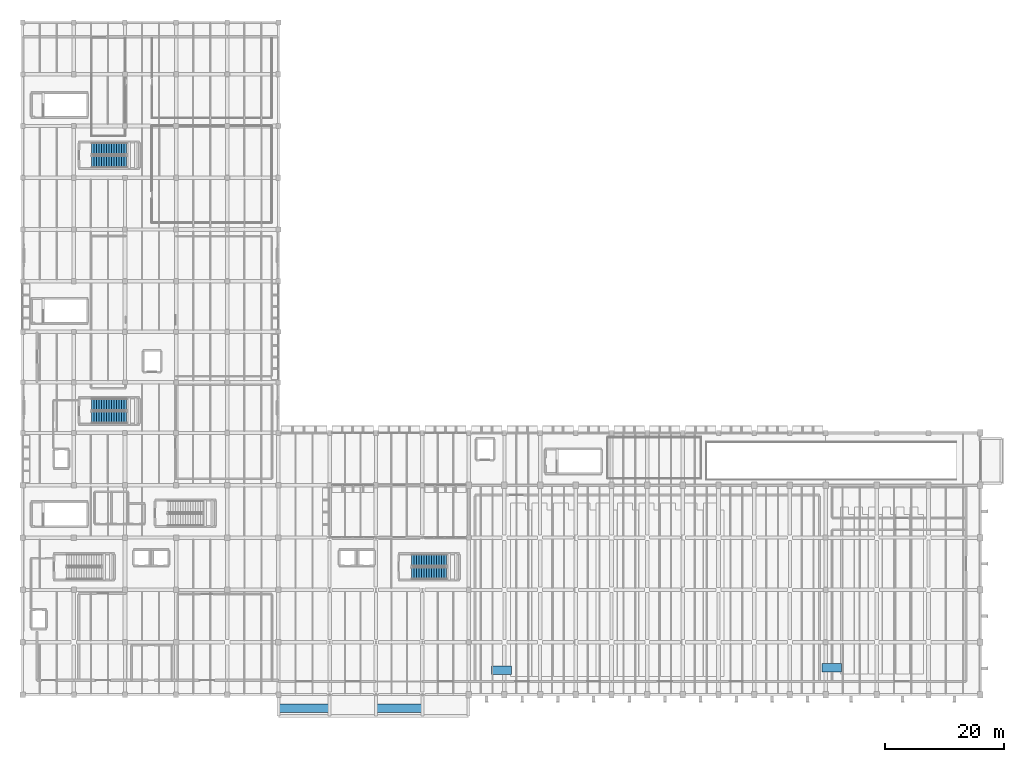
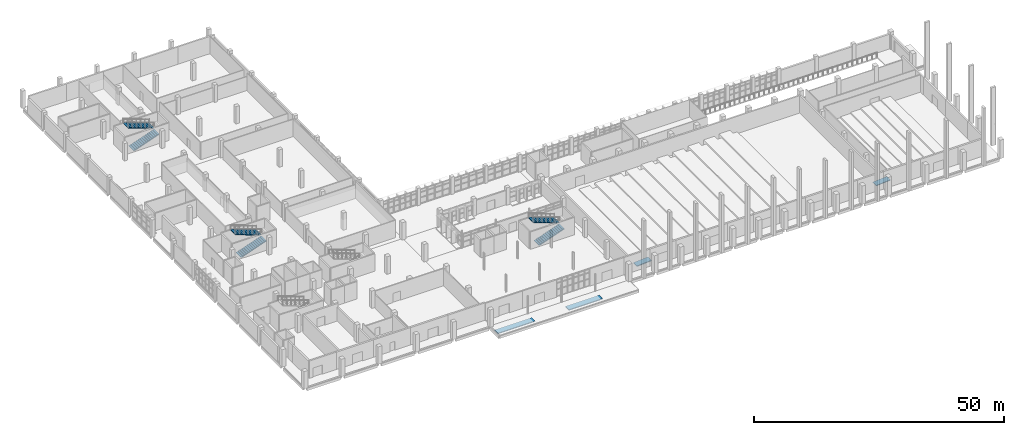
# One storey, part 63 of 76: 6 stair flights, 4 ramp flights, 7 elements without a shape of their own.
"""IFC4 building model written with IfcOpenShell, lengths in metres."""

from ifc_helpers import new_model, si_unit, direction, frame, origin, place, context, subcontext, project, spatial, polyline, outline, extrude, material, type_object, element, aggregate, save


model = new_model("IFC4")

# Units and contexts
model_context = context("Model", 3, precision=1e-05, world=origin(), true_north=direction((0.0, 1.0)))
body_context = subcontext(model_context, "Body", "Model", "MODEL_VIEW")
ifc_project = project(units=[si_unit("LENGTHUNIT", "METRE"), si_unit("AREAUNIT", "SQUARE_METRE"), si_unit("VOLUMEUNIT", "CUBIC_METRE"), si_unit("PLANEANGLEUNIT", "RADIAN"), si_unit("MASSUNIT", "GRAM", prefix="KILO")], contexts=[model_context])

# Site, building, storey
site_placement = place(None, origin())
site = spatial("IfcSite", under=ifc_project, at=site_placement, CompositionType="ELEMENT")
building_placement = place(site_placement, origin())
building = spatial("IfcBuilding", under=site, at=building_placement, Name="Varnakota Cinema and Media Centre", CompositionType="ELEMENT")
storey_placement = place(building_placement, origin())
storey = spatial("IfcBuildingStorey", under=building, at=storey_placement, Name="L00", CompositionType="ELEMENT", Elevation=0.0)

# Stair, stair flights
ifc_material_1 = material(Name="Concrete M35", Category="concrete")
stair_type_1 = type_object("IfcStairType", Name="STR-CORE-ST-03-2000", PredefinedType="HALF_TURN_STAIR", material=ifc_material_1)
stair_1_placement = place(storey_placement, origin())
stair_1 = element("IfcStair", 1, at=stair_1_placement, inside=storey, type_object=stair_type_1, Name="L00 Studio Firefighting Stair 3", PredefinedType="HALF_TURN_STAIR")
ifc_material_2 = material(Name="Concrete M35", Category="concrete")
stair_flight_type_1 = type_object("IfcStairFlightType", Name="STF-CORE-ST-03-2000", PredefinedType="STRAIGHT", material=ifc_material_2)
stair_flight_1_placement = place(storey_placement, frame((11.60009765625, 46.60009765625, 0.0), z_axis=(0.0, 0.0, 1.0), x_axis=(1.0, 0.0, 0.0)))
stair_flight_1 = element("IfcStairFlight", 2, at=stair_flight_1_placement, type_object=stair_flight_type_1, Name="ST-03 flight 1", NumberOfRisers=15, NumberOfTreads=14, PredefinedType="STRAIGHT", RiserHeight=0.15, TreadLength=0.42, context=body_context, shape_type="SweptSolid", body=[
    extrude(outline(polyline([(0.0, 0.0), (0.0, 0.14990234375), (0.419921875, 0.14990234375), (0.419921875, 0.300048828125), (0.840087890625, 0.300048828125), (0.840087890625, 0.449951171875), (1.260009765625, 0.449951171875), (1.260009765625, 0.60009765625), (1.679931640625, 0.60009765625), (1.679931640625, 0.75), (2.10009765625, 0.75), (2.10009765625, 0.89990234375), (2.52001953125, 0.89990234375), (2.52001953125, 1.050048828125), (2.93994140625, 1.050048828125), (2.93994140625, 1.199951171875), (3.360107421875, 1.199951171875), (3.360107421875, 1.35009765625), (3.780029296875, 1.35009765625), (3.780029296875, 1.5), (4.199951171875, 1.5), (4.199951171875, 1.64990234375), (4.6201171875, 1.64990234375), (4.6201171875, 1.800048828125), (5.0400390625, 1.800048828125), (5.0400390625, 1.949951171875), (5.4599609375, 1.949951171875), (5.4599609375, 2.10009765625), (5.8798828125, 2.10009765625), (5.8798828125, 2.25), (5.8798828125, 1.94091796875), (0.44580078125, 0.0), (0.0, 0.0)])), frame((0.0, 1.0, 0.0), z_axis=(0.0, -1.0, 0.0), x_axis=(1.0, 0.0, 0.0)), (0.0, 0.0, 1.0), 2.0),
])
stair_flight_2_placement = place(storey_placement, frame((17.47998046875, 48.75, 2.25), z_axis=(0.0, 0.0, 1.0), x_axis=(-1.0, 0.0, 0.0)))
stair_flight_2 = element("IfcStairFlight", 3, at=stair_flight_2_placement, type_object=stair_flight_type_1, Name="ST-03 flight 2", NumberOfRisers=15, NumberOfTreads=14, PredefinedType="STRAIGHT", RiserHeight=0.15, TreadLength=0.42, context=body_context, shape_type="SweptSolid", body=[
    extrude(outline(polyline([(0.0, 0.0), (0.0, 0.14990234375), (0.419921875, 0.14990234375), (0.419921875, 0.300048828125), (0.840087890625, 0.300048828125), (0.840087890625, 0.449951171875), (1.260009765625, 0.449951171875), (1.260009765625, 0.60009765625), (1.679931640625, 0.60009765625), (1.679931640625, 0.75), (2.10009765625, 0.75), (2.10009765625, 0.89990234375), (2.52001953125, 0.89990234375), (2.52001953125, 1.050048828125), (2.93994140625, 1.050048828125), (2.93994140625, 1.199951171875), (3.360107421875, 1.199951171875), (3.360107421875, 1.35009765625), (3.780029296875, 1.35009765625), (3.780029296875, 1.5), (4.199951171875, 1.5), (4.199951171875, 1.64990234375), (4.6201171875, 1.64990234375), (4.6201171875, 1.800048828125), (5.0400390625, 1.800048828125), (5.0400390625, 1.949951171875), (5.4599609375, 1.949951171875), (5.4599609375, 2.10009765625), (5.8798828125, 2.10009765625), (5.8798828125, 2.25), (5.8798828125, 1.94091796875), (0.44580078125, 0.0), (0.0, 0.0)])), frame((0.0, 1.0, 0.0), z_axis=(0.0, -1.0, 0.0), x_axis=(1.0, 0.0, 0.0)), (0.0, 0.0, 1.0), 2.0),
])
aggregate(stair_1, [stair_flight_1, stair_flight_2])

ifc_material_3 = material(Name="Concrete M35", Category="concrete")
stair_type_2 = type_object("IfcStairType", Name="STR-CORE-ST-04-2000", PredefinedType="HALF_TURN_STAIR", material=ifc_material_3)
stair_2_placement = place(storey_placement, origin())
stair_2 = element("IfcStair", 4, at=stair_2_placement, inside=storey, type_object=stair_type_2, Name="L00 Foyer and Terrace Escape Stair 4", PredefinedType="HALF_TURN_STAIR")
ifc_material_4 = material(Name="Concrete M35", Category="concrete")
stair_flight_type_2 = type_object("IfcStairFlightType", Name="STF-CORE-ST-04-2000", PredefinedType="STRAIGHT", material=ifc_material_4)
stair_flight_3_placement = place(storey_placement, frame((65.39990234375, 20.39990234375, 0.0), z_axis=(0.0, 0.0, 1.0), x_axis=(1.0, 0.0, 0.0)))
stair_flight_3 = element("IfcStairFlight", 5, at=stair_flight_3_placement, type_object=stair_flight_type_2, Name="ST-04 flight 1", NumberOfRisers=15, NumberOfTreads=14, PredefinedType="STRAIGHT", RiserHeight=0.15, TreadLength=0.42, context=body_context, shape_type="SweptSolid", body=[
    extrude(outline(polyline([(0.0, 0.0), (0.0, 0.14990234375), (0.419921875, 0.14990234375), (0.419921875, 0.300048828125), (0.840087890625, 0.300048828125), (0.840087890625, 0.449951171875), (1.260009765625, 0.449951171875), (1.260009765625, 0.60009765625), (1.679931640625, 0.60009765625), (1.679931640625, 0.75), (2.10009765625, 0.75), (2.10009765625, 0.89990234375), (2.52001953125, 0.89990234375), (2.52001953125, 1.050048828125), (2.93994140625, 1.050048828125), (2.93994140625, 1.199951171875), (3.360107421875, 1.199951171875), (3.360107421875, 1.35009765625), (3.780029296875, 1.35009765625), (3.780029296875, 1.5), (4.199951171875, 1.5), (4.199951171875, 1.64990234375), (4.6201171875, 1.64990234375), (4.6201171875, 1.800048828125), (5.0400390625, 1.800048828125), (5.0400390625, 1.949951171875), (5.4599609375, 1.949951171875), (5.4599609375, 2.10009765625), (5.8798828125, 2.10009765625), (5.8798828125, 2.25), (5.8798828125, 1.94091796875), (0.44580078125, 0.0), (0.0, 0.0)])), frame((0.0, 1.0, 0.0), z_axis=(0.0, -1.0, 0.0), x_axis=(1.0, 0.0, 0.0)), (0.0, 0.0, 1.0), 2.0),
])
stair_flight_4_placement = place(storey_placement, frame((71.280029296875, 22.550048828125, 2.25), z_axis=(0.0, 0.0, 1.0), x_axis=(-1.0, 0.0, 0.0)))
stair_flight_4 = element("IfcStairFlight", 6, at=stair_flight_4_placement, type_object=stair_flight_type_2, Name="ST-04 flight 2", NumberOfRisers=15, NumberOfTreads=14, PredefinedType="STRAIGHT", RiserHeight=0.15, TreadLength=0.42, context=body_context, shape_type="SweptSolid", body=[
    extrude(outline(polyline([(0.0, 0.0), (0.0, 0.14990234375), (0.419921875, 0.14990234375), (0.419921875, 0.300048828125), (0.840087890625, 0.300048828125), (0.840087890625, 0.449951171875), (1.260009765625, 0.449951171875), (1.260009765625, 0.60009765625), (1.679931640625, 0.60009765625), (1.679931640625, 0.75), (2.10009765625, 0.75), (2.10009765625, 0.89990234375), (2.52001953125, 0.89990234375), (2.52001953125, 1.050048828125), (2.93994140625, 1.050048828125), (2.93994140625, 1.199951171875), (3.360107421875, 1.199951171875), (3.360107421875, 1.35009765625), (3.780029296875, 1.35009765625), (3.780029296875, 1.5), (4.199951171875, 1.5), (4.199951171875, 1.64990234375), (4.6201171875, 1.64990234375), (4.6201171875, 1.800048828125), (5.0400390625, 1.800048828125), (5.0400390625, 1.949951171875), (5.4599609375, 1.949951171875), (5.4599609375, 2.10009765625), (5.8798828125, 2.10009765625), (5.8798828125, 2.25), (5.8798828125, 1.94091796875), (0.44580078125, 0.0), (0.0, 0.0)])), frame((0.0, 1.0, 0.0), z_axis=(0.0, -1.0, 0.0), x_axis=(1.0, 0.0, 0.0)), (0.0, 0.0, 1.0), 2.0),
])
aggregate(stair_2, [stair_flight_3, stair_flight_4])

ifc_material_5 = material(Name="Concrete M35", Category="concrete")
stair_type_3 = type_object("IfcStairType", Name="STR-CORE-ST-05-2000", PredefinedType="HALF_TURN_STAIR", material=ifc_material_5)
stair_3_placement = place(storey_placement, origin())
stair_3 = element("IfcStair", 7, at=stair_3_placement, inside=storey, type_object=stair_type_3, Name="L00 North Editing Escape Stair 5", PredefinedType="HALF_TURN_STAIR")
ifc_material_6 = material(Name="Concrete M35", Category="concrete")
stair_flight_type_3 = type_object("IfcStairFlightType", Name="STF-CORE-ST-05-2000", PredefinedType="STRAIGHT", material=ifc_material_6)
stair_flight_5_placement = place(storey_placement, frame((11.60009765625, 89.60009765625, 0.0), z_axis=(0.0, 0.0, 1.0), x_axis=(1.0, 0.0, 0.0)))
stair_flight_5 = element("IfcStairFlight", 8, at=stair_flight_5_placement, type_object=stair_flight_type_3, Name="ST-05 flight 1", NumberOfRisers=15, NumberOfTreads=14, PredefinedType="STRAIGHT", RiserHeight=0.15, TreadLength=0.42, context=body_context, shape_type="SweptSolid", body=[
    extrude(outline(polyline([(0.0, 0.0), (0.0, 0.14990234375), (0.419921875, 0.14990234375), (0.419921875, 0.300048828125), (0.840087890625, 0.300048828125), (0.840087890625, 0.449951171875), (1.260009765625, 0.449951171875), (1.260009765625, 0.60009765625), (1.679931640625, 0.60009765625), (1.679931640625, 0.75), (2.10009765625, 0.75), (2.10009765625, 0.89990234375), (2.52001953125, 0.89990234375), (2.52001953125, 1.050048828125), (2.93994140625, 1.050048828125), (2.93994140625, 1.199951171875), (3.360107421875, 1.199951171875), (3.360107421875, 1.35009765625), (3.780029296875, 1.35009765625), (3.780029296875, 1.5), (4.199951171875, 1.5), (4.199951171875, 1.64990234375), (4.6201171875, 1.64990234375), (4.6201171875, 1.800048828125), (5.0400390625, 1.800048828125), (5.0400390625, 1.949951171875), (5.4599609375, 1.949951171875), (5.4599609375, 2.10009765625), (5.8798828125, 2.10009765625), (5.8798828125, 2.25), (5.8798828125, 1.94091796875), (0.44580078125, 0.0), (0.0, 0.0)])), frame((0.0, 1.0, 0.0), z_axis=(0.0, -1.0, 0.0), x_axis=(1.0, 0.0, 0.0)), (0.0, 0.0, 1.0), 2.0),
])
stair_flight_6_placement = place(storey_placement, frame((17.47998046875, 91.75, 2.25), z_axis=(0.0, 0.0, 1.0), x_axis=(-1.0, 0.0, 0.0)))
stair_flight_6 = element("IfcStairFlight", 9, at=stair_flight_6_placement, type_object=stair_flight_type_3, Name="ST-05 flight 2", NumberOfRisers=15, NumberOfTreads=14, PredefinedType="STRAIGHT", RiserHeight=0.15, TreadLength=0.42, context=body_context, shape_type="SweptSolid", body=[
    extrude(outline(polyline([(0.0, 0.0), (0.0, 0.14990234375), (0.419921875, 0.14990234375), (0.419921875, 0.300048828125), (0.840087890625, 0.300048828125), (0.840087890625, 0.449951171875), (1.260009765625, 0.449951171875), (1.260009765625, 0.60009765625), (1.679931640625, 0.60009765625), (1.679931640625, 0.75), (2.10009765625, 0.75), (2.10009765625, 0.89990234375), (2.52001953125, 0.89990234375), (2.52001953125, 1.050048828125), (2.93994140625, 1.050048828125), (2.93994140625, 1.199951171875), (3.360107421875, 1.199951171875), (3.360107421875, 1.35009765625), (3.780029296875, 1.35009765625), (3.780029296875, 1.5), (4.199951171875, 1.5), (4.199951171875, 1.64990234375), (4.6201171875, 1.64990234375), (4.6201171875, 1.800048828125), (5.0400390625, 1.800048828125), (5.0400390625, 1.949951171875), (5.4599609375, 1.949951171875), (5.4599609375, 2.10009765625), (5.8798828125, 2.10009765625), (5.8798828125, 2.25), (5.8798828125, 1.94091796875), (0.44580078125, 0.0), (0.0, 0.0)])), frame((0.0, 1.0, 0.0), z_axis=(0.0, -1.0, 0.0), x_axis=(1.0, 0.0, 0.0)), (0.0, 0.0, 1.0), 2.0),
])
aggregate(stair_3, [stair_flight_5, stair_flight_6])

# Ramp, ramp flight
ifc_material_7 = material(Name="Concrete M35", Category="concrete")
ramp_type = type_object("IfcRampType", Name="RMP-PED-1800", PredefinedType="STRAIGHT_RUN_RAMP", material=ifc_material_7)
ramp_1_placement = place(storey_placement, frame((47.300048828125, -2.300048828125, -0.06005859375), z_axis=(0.0, 0.0, 1.0), x_axis=(1.0, 0.0, 0.0)))
ramp_1 = element("IfcRamp", 10, at=ramp_1_placement, inside=storey, type_object=ramp_type, Name="South forecourt west accessible ramp", PredefinedType="STRAIGHT_RUN_RAMP")
ifc_material_8 = material(Name="Concrete M35", Category="concrete")
ramp_flight_type = type_object("IfcRampFlightType", Name="RMPFL-PED-180", PredefinedType="STRAIGHT", material=ifc_material_8)
ramp_flight_1_placement = place(storey_placement, frame((43.0, -3.0, -0.02001953125), z_axis=(-0.002327819731, 0.0, 0.999997290624), x_axis=(0.999997290624, 0.0, 0.002327819731)))
ramp_flight_1 = element("IfcRampFlight", 11, at=ramp_flight_1_placement, type_object=ramp_flight_type, Name="South forecourt west accessible ramp flight", PredefinedType="STRAIGHT", context=body_context, shape_type="SweptSolid", body=[
    extrude(outline(polyline([(0.0, 0.0), (8.600120957211487, 0.0), (8.600120957211487, 1.39990234375), (0.0, 1.39990234375), (0.0, 0.0)])), origin(), (0.0, 0.0, -1.0), 0.179931640625),
])
aggregate(ramp_1, [ramp_flight_1])

ramp_2_placement = place(storey_placement, frame((63.300048828125, -2.300048828125, -0.06005859375), z_axis=(0.0, 0.0, 1.0), x_axis=(1.0, 0.0, 0.0)))
ramp_2 = element("IfcRamp", 12, at=ramp_2_placement, inside=storey, type_object=ramp_type, Name="South forecourt east accessible ramp", PredefinedType="STRAIGHT_RUN_RAMP")
ramp_flight_2_placement = place(storey_placement, frame((59.39990234375, -3.0, -0.02001953125), z_axis=(-0.00256658205, 0.0, 0.999996706323), x_axis=(0.999996706323, 0.0, 0.00256658205)))
ramp_flight_2 = element("IfcRampFlight", 13, at=ramp_flight_2_placement, type_object=ramp_flight_type, Name="South forecourt east accessible ramp flight", PredefinedType="STRAIGHT", context=body_context, shape_type="SweptSolid", body=[
    extrude(outline(polyline([(0.0, 0.0), (7.800074519052088, 0.0), (7.800074519052088, 1.39990234375), (0.0, 1.39990234375), (0.0, 0.0)])), origin(), (0.0, 0.0, -1.0), 0.179931640625),
])
aggregate(ramp_2, [ramp_flight_2])

ramp_3_placement = place(storey_placement, frame((80.5, 4.10009765625, 0.070068359375), z_axis=(0.0, 0.0, 1.0), x_axis=(1.0, 0.0, 0.0)))
ramp_3 = element("IfcRamp", 14, at=ramp_3_placement, inside=storey, type_object=ramp_type, Name="Grand Cinema wheelchair stage ramp", PredefinedType="STRAIGHT_RUN_RAMP")
ramp_flight_3_placement = place(storey_placement, frame((78.800048828125, 3.39990234375, 0.0), z_axis=(-0.07041219128, 0.0, 0.997517981452), x_axis=(0.997517981452, 0.0, 0.07041219128)))
ramp_flight_3 = element("IfcRampFlight", 15, at=ramp_flight_3_placement, type_object=ramp_flight_type, Name="Grand Cinema wheelchair stage ramp flight", PredefinedType="STRAIGHT", context=body_context, shape_type="SweptSolid", body=[
    extrude(outline(polyline([(0.0, 0.0), (3.408361961357994, 0.0), (3.408361961357994, 1.400146484375), (0.0, 1.400146484375), (0.0, 0.0)])), origin(), (0.0, 0.0, -1.0), 0.179931640625),
])
aggregate(ramp_3, [ramp_flight_3])

ramp_4_placement = place(storey_placement, frame((136.050048828125, 4.5, 0.070068359375), z_axis=(0.0, 0.0, 1.0), x_axis=(1.0, 0.0, 0.0)))
ramp_4 = element("IfcRamp", 16, at=ramp_4_placement, inside=storey, type_object=ramp_type, Name="Broadcast studio wheelchair rostrum ramp", PredefinedType="STRAIGHT_RUN_RAMP")
ramp_flight_4_placement = place(storey_placement, frame((134.39990234375, 3.800048828125, 0.0), z_axis=(-0.07253169226, 0.0, 0.997366108116), x_axis=(0.997366108116, 0.0, 0.07253169226)))
ramp_flight_4 = element("IfcRampFlight", 17, at=ramp_flight_4_placement, type_object=ramp_flight_type, Name="Broadcast studio wheelchair rostrum ramp flight", PredefinedType="STRAIGHT", context=body_context, shape_type="SweptSolid", body=[
    extrude(outline(polyline([(0.0, 0.0), (3.308763754123971, 0.0), (3.308763754123971, 1.3999023437500002), (0.0, 1.3999023437500002), (0.0, 0.0)])), origin(), (0.0, 0.0, -1.0), 0.179931640625),
])
aggregate(ramp_4, [ramp_flight_4])

save(model, "model.ifc")
